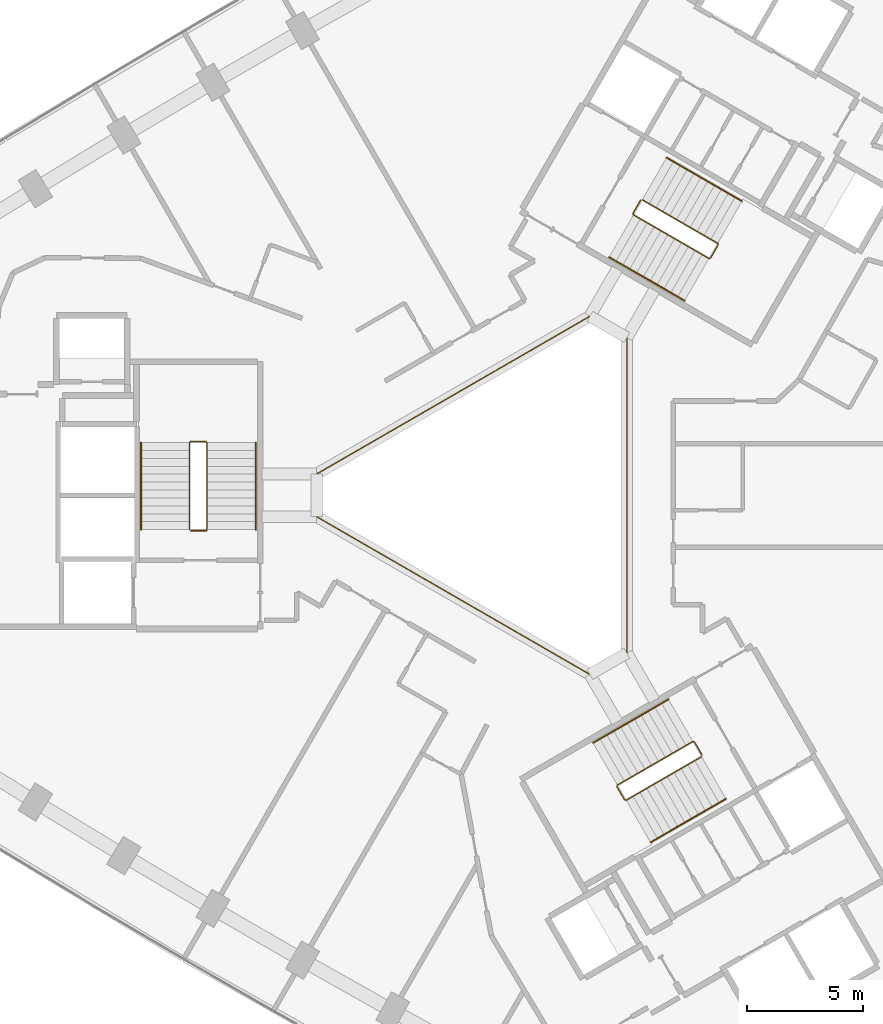
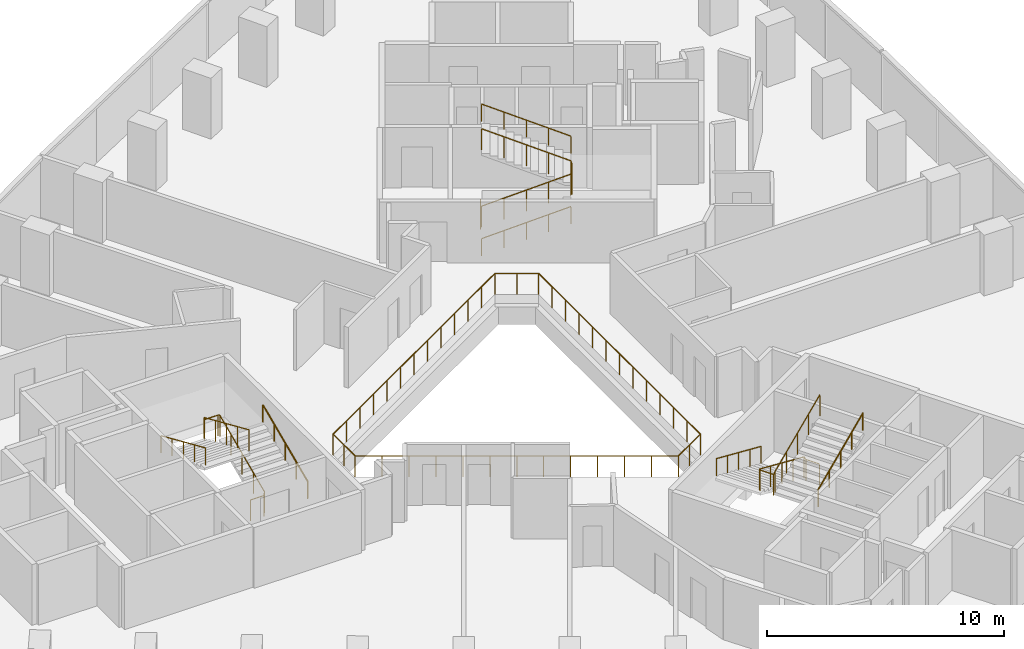
# One storey, part 13 of 13: 10 railings.
"""IFC4 building model written with IfcOpenShell, lengths in metres."""

from ifc_helpers import new_model, si_unit, direction, frame, origin, origin_2d, place, context, subcontext, project, spatial, circle, extrude, material, type_object, element, save


model = new_model("IFC4")

# Units and contexts
model_context = context("Model", 3, precision=1e-05, world=origin(), true_north=direction((0.0, 1.0)))
body_context = subcontext(model_context, "Body", "Model", "MODEL_VIEW")
ifc_project = project(units=[si_unit("LENGTHUNIT", "METRE"), si_unit("AREAUNIT", "SQUARE_METRE"), si_unit("VOLUMEUNIT", "CUBIC_METRE"), si_unit("PLANEANGLEUNIT", "RADIAN"), si_unit("MASSUNIT", "GRAM", prefix="KILO")], contexts=[model_context])

# Site, building, storey
site_placement = place(None, origin())
site = spatial("IfcSite", under=ifc_project, at=site_placement, CompositionType="ELEMENT")
building_placement = place(site_placement, origin())
building = spatial("IfcBuilding", under=site, at=building_placement, Name="Tamra Quay Hotel Tower", CompositionType="ELEMENT")
storey_placement = place(building_placement, frame((0.0, 0.0, 49.39990234375)))
storey = spatial("IfcBuildingStorey", under=building, at=storey_placement, Name="L10", CompositionType="ELEMENT", Elevation=49.39990234375)

# Railings
ifc_material_1 = material(Name="Guard atrium edge 1100")
railing_type_1 = type_object("IfcRailingType", Name="Guard atrium edge 1100", PredefinedType="GUARDRAIL", material=ifc_material_1)
railing_1_placement = place(storey_placement, frame((5.0, -6.81298828125, 0.0)))
element("IfcRailing", 1, at=railing_1_placement, inside=storey, type_object=railing_type_1, Name="G-A", PredefinedType="GUARDRAIL", context=body_context, shape_type="SweptSolid", body=[
    extrude(circle(Radius=0.02392578125, at=origin_2d()), frame((0.0, 0.0, 1.076171875), z_axis=(-0.866194386982, -0.499707198227, 0.0), x_axis=(0.499707198227, -0.866194386982, 0.0)), (0.0, 0.0, 1.0), 1.84716796875),
    extrude(circle(Radius=0.02392578125, at=origin_2d()), frame((-1.60009765625, -0.923095703125, 1.076171875), z_axis=(-0.866044747976, 0.49996649338, 0.0), x_axis=(-0.49996649338, -0.866044747976, 0.0)), (0.0, 0.0, 1.0), 13.625),
    extrude(circle(Radius=0.02392578125, at=origin_2d()), frame((-13.39990234375, 5.888916015625, 1.076171875), z_axis=(0.0, 1.0, 0.0), x_axis=(-1.0, 0.0, 0.0)), (0.0, 0.0, 1.0), 1.84814453125),
    extrude(circle(Radius=0.02392578125, at=origin_2d()), frame((-13.39990234375, 7.737060546875, 1.076171875), z_axis=(0.866044747976, 0.49996649338, 0.0), x_axis=(-0.49996649338, 0.866044747976, 0.0)), (0.0, 0.0, 1.0), 13.625),
    extrude(circle(Radius=0.02392578125, at=origin_2d()), frame((-1.60009765625, 14.549072265625, 1.076171875), z_axis=(0.866194386982, -0.499707198227, 0.0), x_axis=(0.499707198227, 0.866194386982, 0.0)), (0.0, 0.0, 1.0), 1.84716796875),
    extrude(circle(Radius=0.02392578125, at=origin_2d()), frame((0.0, 13.6259765625, 1.076171875), z_axis=(0.0, -1.0, 0.0), x_axis=(1.0, 0.0, 0.0)), (0.0, 0.0, 1.0), 13.6259765625),
    extrude(circle(Radius=0.02099609375, at=origin_2d()), origin(), (0.0, 0.0, 1.0), 1.052001953125),
    extrude(circle(Radius=0.02099609375, at=origin_2d()), frame((-0.800048828125, -0.46142578125, 0.0)), (0.0, 0.0, 1.0), 1.052001953125),
    extrude(circle(Radius=0.02099609375, at=origin_2d()), frame((-1.60009765625, -0.923095703125, 0.0)), (0.0, 0.0, 1.0), 1.052001953125),
    extrude(circle(Radius=0.02099609375, at=origin_2d()), frame((-2.58349609375, -0.35546875, 0.0)), (0.0, 0.0, 1.0), 1.052001953125),
    extrude(circle(Radius=0.02099609375, at=origin_2d()), frame((-3.566650390625, 0.212158203125, 0.0)), (0.0, 0.0, 1.0), 1.052001953125),
    extrude(circle(Radius=0.02099609375, at=origin_2d()), frame((-4.550048828125, 0.77978515625, 0.0)), (0.0, 0.0, 1.0), 1.052001953125),
    extrude(circle(Radius=0.02099609375, at=origin_2d()), frame((-5.533447265625, 1.34765625, 0.0)), (0.0, 0.0, 1.0), 1.052001953125),
    extrude(circle(Radius=0.02099609375, at=origin_2d()), frame((-6.5166015625, 1.915283203125, 0.0)), (0.0, 0.0, 1.0), 1.052001953125),
    extrude(circle(Radius=0.02099609375, at=origin_2d()), frame((-7.5, 2.48291015625, 0.0)), (0.0, 0.0, 1.0), 1.052001953125),
    extrude(circle(Radius=0.02099609375, at=origin_2d()), frame((-8.4833984375, 3.050537109375, 0.0)), (0.0, 0.0, 1.0), 1.052001953125),
    extrude(circle(Radius=0.02099609375, at=origin_2d()), frame((-9.466552734375, 3.6181640625, 0.0)), (0.0, 0.0, 1.0), 1.052001953125),
    extrude(circle(Radius=0.02099609375, at=origin_2d()), frame((-10.449951171875, 4.18603515625, 0.0)), (0.0, 0.0, 1.0), 1.052001953125),
    extrude(circle(Radius=0.02099609375, at=origin_2d()), frame((-11.433349609375, 4.753662109375, 0.0)), (0.0, 0.0, 1.0), 1.052001953125),
    extrude(circle(Radius=0.02099609375, at=origin_2d()), frame((-12.41650390625, 5.3212890625, 0.0)), (0.0, 0.0, 1.0), 1.052001953125),
    extrude(circle(Radius=0.02099609375, at=origin_2d()), frame((-13.39990234375, 5.888916015625, 0.0)), (0.0, 0.0, 1.0), 1.052001953125),
    extrude(circle(Radius=0.02099609375, at=origin_2d()), frame((-13.39990234375, 6.81298828125, 0.0)), (0.0, 0.0, 1.0), 1.052001953125),
    extrude(circle(Radius=0.02099609375, at=origin_2d()), frame((-13.39990234375, 7.737060546875, 0.0)), (0.0, 0.0, 1.0), 1.052001953125),
    extrude(circle(Radius=0.02099609375, at=origin_2d()), frame((-12.41650390625, 8.3046875, 0.0)), (0.0, 0.0, 1.0), 1.052001953125),
    extrude(circle(Radius=0.02099609375, at=origin_2d()), frame((-11.433349609375, 8.872314453125, 0.0)), (0.0, 0.0, 1.0), 1.052001953125),
    extrude(circle(Radius=0.02099609375, at=origin_2d()), frame((-10.449951171875, 9.43994140625, 0.0)), (0.0, 0.0, 1.0), 1.052001953125),
    extrude(circle(Radius=0.02099609375, at=origin_2d()), frame((-9.466552734375, 10.0078125, 0.0)), (0.0, 0.0, 1.0), 1.052001953125),
    extrude(circle(Radius=0.02099609375, at=origin_2d()), frame((-8.4833984375, 10.575439453125, 0.0)), (0.0, 0.0, 1.0), 1.052001953125),
    extrude(circle(Radius=0.02099609375, at=origin_2d()), frame((-7.5, 11.14306640625, 0.0)), (0.0, 0.0, 1.0), 1.052001953125),
    extrude(circle(Radius=0.02099609375, at=origin_2d()), frame((-6.5166015625, 11.710693359375, 0.0)), (0.0, 0.0, 1.0), 1.052001953125),
    extrude(circle(Radius=0.02099609375, at=origin_2d()), frame((-5.533447265625, 12.2783203125, 0.0)), (0.0, 0.0, 1.0), 1.052001953125),
    extrude(circle(Radius=0.02099609375, at=origin_2d()), frame((-4.550048828125, 12.84619140625, 0.0)), (0.0, 0.0, 1.0), 1.052001953125),
    extrude(circle(Radius=0.02099609375, at=origin_2d()), frame((-3.566650390625, 13.413818359375, 0.0)), (0.0, 0.0, 1.0), 1.052001953125),
    extrude(circle(Radius=0.02099609375, at=origin_2d()), frame((-2.58349609375, 13.9814453125, 0.0)), (0.0, 0.0, 1.0), 1.052001953125),
    extrude(circle(Radius=0.02099609375, at=origin_2d()), frame((-1.60009765625, 14.549072265625, 0.0)), (0.0, 0.0, 1.0), 1.052001953125),
    extrude(circle(Radius=0.02099609375, at=origin_2d()), frame((-0.800048828125, 14.08740234375, 0.0)), (0.0, 0.0, 1.0), 1.052001953125),
    extrude(circle(Radius=0.02099609375, at=origin_2d()), frame((0.0, 13.6259765625, 0.0)), (0.0, 0.0, 1.0), 1.052001953125),
    extrude(circle(Radius=0.02099609375, at=origin_2d()), frame((0.0, 12.490478515625, 0.0)), (0.0, 0.0, 1.0), 1.052001953125),
    extrude(circle(Radius=0.02099609375, at=origin_2d()), frame((0.0, 11.35498046875, 0.0)), (0.0, 0.0, 1.0), 1.052001953125),
    extrude(circle(Radius=0.02099609375, at=origin_2d()), frame((0.0, 10.219482421875, 0.0)), (0.0, 0.0, 1.0), 1.052001953125),
    extrude(circle(Radius=0.02099609375, at=origin_2d()), frame((0.0, 9.083984375, 0.0)), (0.0, 0.0, 1.0), 1.052001953125),
    extrude(circle(Radius=0.02099609375, at=origin_2d()), frame((0.0, 7.948486328125, 0.0)), (0.0, 0.0, 1.0), 1.052001953125),
    extrude(circle(Radius=0.02099609375, at=origin_2d()), frame((0.0, 6.81298828125, 0.0)), (0.0, 0.0, 1.0), 1.052001953125),
    extrude(circle(Radius=0.02099609375, at=origin_2d()), frame((0.0, 5.677490234375, 0.0)), (0.0, 0.0, 1.0), 1.052001953125),
    extrude(circle(Radius=0.02099609375, at=origin_2d()), frame((0.0, 4.5419921875, 0.0)), (0.0, 0.0, 1.0), 1.052001953125),
    extrude(circle(Radius=0.02099609375, at=origin_2d()), frame((0.0, 3.406494140625, 0.0)), (0.0, 0.0, 1.0), 1.052001953125),
    extrude(circle(Radius=0.02099609375, at=origin_2d()), frame((0.0, 2.27099609375, 0.0)), (0.0, 0.0, 1.0), 1.052001953125),
    extrude(circle(Radius=0.02099609375, at=origin_2d()), frame((0.0, 1.135498046875, 0.0)), (0.0, 0.0, 1.0), 1.052001953125),
])
ifc_material_2 = material(Name="Stair guard 1100")
railing_type_2 = type_object("IfcRailingType", Name="Stair guard 1100", PredefinedType="GUARDRAIL", material=ifc_material_2)
railing_2_placement = place(storey_placement, frame((-13.84130859375, -1.530029296875, 0.0)))
element("IfcRailing", 2, at=railing_2_placement, inside=storey, type_object=railing_type_2, Name="GR", PredefinedType="GUARDRAIL", context=body_context, shape_type="SweptSolid", body=[
    extrude(circle(Radius=0.02392578125, at=origin_2d()), frame((0.0, 0.0, 1.076171875), z_axis=(1.0, 0.0, 0.0), x_axis=(0.0, 1.0, 0.0)), (0.0, 0.0, 1.0), 0.658935546875),
    extrude(circle(Radius=0.02392578125, at=origin_2d()), frame((0.658935546875, 0.0, 1.076171875), z_axis=(0.301511344578, 0.301511344578, 0.904534033733), x_axis=(-0.707106781187, 0.707106781187, 0.0)), (0.0, 0.0, 1.0), 0.166015625),
    extrude(circle(Radius=0.02392578125, at=origin_2d()), frame((0.708984375, 0.050048828125, 1.22607421875), z_axis=(0.0, 0.915795495799, 0.401644880304), x_axis=(-1.0, 0.0, 0.0)), (0.0, 0.0, 1.0), 4.10791015625),
    extrude(circle(Radius=0.02392578125, at=origin_2d()), frame((0.708984375, 3.81201171875, 2.8759765625), z_axis=(-0.708833529934, 0.705375805398, 0.0), x_axis=(-0.705375805398, -0.708833529934, 0.0)), (0.0, 0.0, 1.0), 0.070556640625),
    extrude(circle(Radius=0.02392578125, at=origin_2d()), frame((0.658935546875, 3.86181640625, 2.8759765625), z_axis=(-1.0, 0.0, 0.0), x_axis=(0.0, -1.0, 0.0)), (0.0, 0.0, 1.0), 0.658935546875),
    extrude(circle(Radius=0.02392578125, at=origin_2d()), frame((0.0, 3.86181640625, 2.8759765625), z_axis=(-0.301644814947, -0.300173376825, 0.904934444842), x_axis=(0.705375805398, -0.708833529934, 0.0)), (0.0, 0.0, 1.0), 0.166015625),
    extrude(circle(Radius=0.02392578125, at=origin_2d()), frame((-0.050048828125, 3.81201171875, 3.0263671875), z_axis=(0.0, -0.915795495799, 0.401644880304), x_axis=(1.0, 0.0, 0.0)), (0.0, 0.0, 1.0), 4.10791015625),
    extrude(circle(Radius=0.02099609375, at=origin_2d()), origin(), (0.0, 0.0, 1.0), 1.052001953125),
    extrude(circle(Radius=0.02099609375, at=origin_2d()), frame((0.658935546875, 0.0, 0.0)), (0.0, 0.0, 1.0), 1.052001953125),
    extrude(circle(Radius=0.02099609375, at=origin_2d()), frame((0.708984375, 0.050048828125, 0.150146484375)), (0.0, 0.0, 1.0), 1.052001953125),
    extrude(circle(Radius=0.02099609375, at=origin_2d()), frame((0.708984375, 0.990478515625, 0.5625)), (0.0, 0.0, 1.0), 1.052001953125),
    extrude(circle(Radius=0.02099609375, at=origin_2d()), frame((0.708984375, 1.93115234375, 0.97509765625)), (0.0, 0.0, 1.0), 1.052001953125),
    extrude(circle(Radius=0.02099609375, at=origin_2d()), frame((0.708984375, 2.87158203125, 1.3876953125)), (0.0, 0.0, 1.0), 1.052001953125),
    extrude(circle(Radius=0.02099609375, at=origin_2d()), frame((0.708984375, 3.81201171875, 1.800048828125)), (0.0, 0.0, 1.0), 1.052001953125),
    extrude(circle(Radius=0.02099609375, at=origin_2d()), frame((0.658935546875, 3.86181640625, 1.800048828125)), (0.0, 0.0, 1.0), 1.052001953125),
    extrude(circle(Radius=0.02099609375, at=origin_2d()), frame((0.0, 3.86181640625, 1.800048828125)), (0.0, 0.0, 1.0), 1.052001953125),
    extrude(circle(Radius=0.02099609375, at=origin_2d()), frame((-0.050048828125, 3.81201171875, 1.9501953125)), (0.0, 0.0, 1.0), 1.052001953125),
    extrude(circle(Radius=0.02099609375, at=origin_2d()), frame((-0.050048828125, 2.87158203125, 2.36279296875)), (0.0, 0.0, 1.0), 1.052001953125),
    extrude(circle(Radius=0.02099609375, at=origin_2d()), frame((-0.050048828125, 1.93115234375, 2.775146484375)), (0.0, 0.0, 1.0), 1.052001953125),
    extrude(circle(Radius=0.02099609375, at=origin_2d()), frame((-0.050048828125, 0.990478515625, 3.1875)), (0.0, 0.0, 1.0), 1.052001953125),
    extrude(circle(Radius=0.02099609375, at=origin_2d()), frame((-0.050048828125, 0.050048828125, 3.60009765625)), (0.0, 0.0, 1.0), 1.052001953125),
])
railing_3_placement = place(storey_placement, frame((5.595458984375, 12.751953125, 0.0)))
element("IfcRailing", 3, at=railing_3_placement, inside=storey, type_object=railing_type_2, Name="GR", PredefinedType="GUARDRAIL", context=body_context, shape_type="SweptSolid", body=[
    extrude(circle(Radius=0.02392578125, at=origin_2d()), frame((0.0, 0.0, 1.076171875), z_axis=(-0.499765215335, -0.866160914346, 0.0), x_axis=(0.866160914346, -0.499765215335, 0.0)), (0.0, 0.0, 1.0), 0.658935546875),
    extrude(circle(Radius=0.02392578125, at=origin_2d()), frame((-0.329345703125, -0.57080078125, 1.076171875), z_axis=(0.110378772244, -0.410609032747, 0.905105932399), x_axis=(0.965715946433, 0.259601060869, 0.0)), (0.0, 0.0, 1.0), 0.165771484375),
    extrude(circle(Radius=0.02392578125, at=origin_2d()), frame((-0.31103515625, -0.638916015625, 1.22607421875), z_axis=(0.793078462799, -0.457933869594, 0.401650498471), x_axis=(0.500040788363, 0.866001853331, 0.0)), (0.0, 0.0, 1.0), 4.10791015625),
    extrude(circle(Radius=0.02392578125, at=origin_2d()), frame((2.94677734375, -2.52001953125, 2.8759765625), z_axis=(0.965948051503, 0.258736085224, 0.0), x_axis=(-0.258736085224, 0.965948051503, 0.0)), (0.0, 0.0, 1.0), 0.07080078125),
    extrude(circle(Radius=0.02392578125, at=origin_2d()), frame((3.01513671875, -2.501708984375, 2.8759765625), z_axis=(0.500043078269, 0.866000531106, 0.0), x_axis=(-0.866000531106, 0.500043078269, 0.0)), (0.0, 0.0, 1.0), 0.6591796875),
    extrude(circle(Radius=0.02392578125, at=origin_2d()), frame((3.3447265625, -1.930908203125, 2.8759765625), z_axis=(-0.110378772244, 0.410609032747, 0.905105932399), x_axis=(-0.965715946433, -0.259601060869, 0.0)), (0.0, 0.0, 1.0), 0.165771484375),
    extrude(circle(Radius=0.02392578125, at=origin_2d()), frame((3.326416015625, -1.86279296875, 3.0263671875), z_axis=(-0.793100512587, 0.457912285461, 0.401631567183), x_axis=(-0.500012686397, -0.866018079166, 0.0)), (0.0, 0.0, 1.0), 4.10791015625),
    extrude(circle(Radius=0.02099609375, at=origin_2d()), origin(), (0.0, 0.0, 1.0), 1.052001953125),
    extrude(circle(Radius=0.02099609375, at=origin_2d()), frame((-0.329345703125, -0.57080078125, 0.0)), (0.0, 0.0, 1.0), 1.052001953125),
    extrude(circle(Radius=0.02099609375, at=origin_2d()), frame((-0.31103515625, -0.638916015625, 0.150146484375)), (0.0, 0.0, 1.0), 1.052001953125),
    extrude(circle(Radius=0.02099609375, at=origin_2d()), frame((0.50341796875, -1.109130859375, 0.5625)), (0.0, 0.0, 1.0), 1.052001953125),
    extrude(circle(Radius=0.02099609375, at=origin_2d()), frame((1.31787109375, -1.57958984375, 0.97509765625)), (0.0, 0.0, 1.0), 1.052001953125),
    extrude(circle(Radius=0.02099609375, at=origin_2d()), frame((2.13232421875, -2.0498046875, 1.3876953125)), (0.0, 0.0, 1.0), 1.052001953125),
    extrude(circle(Radius=0.02099609375, at=origin_2d()), frame((2.94677734375, -2.52001953125, 1.800048828125)), (0.0, 0.0, 1.0), 1.052001953125),
    extrude(circle(Radius=0.02099609375, at=origin_2d()), frame((3.01513671875, -2.501708984375, 1.800048828125)), (0.0, 0.0, 1.0), 1.052001953125),
    extrude(circle(Radius=0.02099609375, at=origin_2d()), frame((3.3447265625, -1.930908203125, 1.800048828125)), (0.0, 0.0, 1.0), 1.052001953125),
    extrude(circle(Radius=0.02099609375, at=origin_2d()), frame((3.326416015625, -1.86279296875, 1.9501953125)), (0.0, 0.0, 1.0), 1.052001953125),
    extrude(circle(Radius=0.02099609375, at=origin_2d()), frame((2.511962890625, -1.392578125, 2.36279296875)), (0.0, 0.0, 1.0), 1.052001953125),
    extrude(circle(Radius=0.02099609375, at=origin_2d()), frame((1.697265625, -0.92236328125, 2.775146484375)), (0.0, 0.0, 1.0), 1.052001953125),
    extrude(circle(Radius=0.02099609375, at=origin_2d()), frame((0.8828125, -0.451904296875, 3.1875)), (0.0, 0.0, 1.0), 1.052001953125),
    extrude(circle(Radius=0.02099609375, at=origin_2d()), frame((0.068359375, 0.018310546875, 3.60009765625)), (0.0, 0.0, 1.0), 1.052001953125),
])
railing_4_placement = place(storey_placement, frame((8.245849609375, -11.221923828125, 0.0)))
element("IfcRailing", 4, at=railing_4_placement, inside=storey, type_object=railing_type_2, Name="GR", PredefinedType="GUARDRAIL", context=body_context, shape_type="SweptSolid", body=[
    extrude(circle(Radius=0.02392578125, at=origin_2d()), frame((0.0, 0.0, 1.076171875), z_axis=(-0.500043078269, 0.866000531106, 0.0), x_axis=(-0.866000531106, -0.500043078269, 0.0)), (0.0, 0.0, 1.0), 0.6591796875),
    extrude(circle(Radius=0.02392578125, at=origin_2d()), frame((-0.32958984375, 0.57080078125, 1.076171875), z_axis=(-0.411831509231, 0.110312011401, 0.90455849349), x_axis=(-0.258736085224, -0.965948051503, 0.0)), (0.0, 0.0, 1.0), 0.166015625),
    extrude(circle(Radius=0.02392578125, at=origin_2d()), frame((-0.39794921875, 0.589111328125, 1.22607421875), z_axis=(-0.793100512587, -0.457912285461, 0.401631567183), x_axis=(0.500012686397, -0.866018079166, 0.0)), (0.0, 0.0, 1.0), 4.10791015625),
    extrude(circle(Radius=0.02392578125, at=origin_2d()), frame((-3.656005859375, -1.2919921875, 2.8759765625), z_axis=(-0.256368644879, -0.966579080015, 0.0), x_axis=(0.966579080015, -0.256368644879, 0.0)), (0.0, 0.0, 1.0), 0.070556640625),
    extrude(circle(Radius=0.02392578125, at=origin_2d()), frame((-3.674072265625, -1.360107421875, 2.8759765625), z_axis=(0.499765215335, -0.866160914346, 0.0), x_axis=(0.866160914346, 0.499765215335, 0.0)), (0.0, 0.0, 1.0), 0.658935546875),
    extrude(circle(Radius=0.02392578125, at=origin_2d()), frame((-3.3447265625, -1.930908203125, 2.8759765625), z_axis=(0.411831509231, -0.110312011401, 0.90455849349), x_axis=(0.258736085224, 0.965948051503, 0.0)), (0.0, 0.0, 1.0), 0.166015625),
    extrude(circle(Radius=0.02392578125, at=origin_2d()), frame((-3.2763671875, -1.94921875, 3.0263671875), z_axis=(0.793100512587, 0.457912285461, 0.401631567183), x_axis=(-0.500012686397, 0.866018079166, 0.0)), (0.0, 0.0, 1.0), 4.10791015625),
    extrude(circle(Radius=0.02099609375, at=origin_2d()), origin(), (0.0, 0.0, 1.0), 1.052001953125),
    extrude(circle(Radius=0.02099609375, at=origin_2d()), frame((-0.32958984375, 0.57080078125, 0.0)), (0.0, 0.0, 1.0), 1.052001953125),
    extrude(circle(Radius=0.02099609375, at=origin_2d()), frame((-0.39794921875, 0.589111328125, 0.150146484375)), (0.0, 0.0, 1.0), 1.052001953125),
    extrude(circle(Radius=0.02099609375, at=origin_2d()), frame((-1.21240234375, 0.118896484375, 0.5625)), (0.0, 0.0, 1.0), 1.052001953125),
    extrude(circle(Radius=0.02099609375, at=origin_2d()), frame((-2.02685546875, -0.3515625, 0.97509765625)), (0.0, 0.0, 1.0), 1.052001953125),
    extrude(circle(Radius=0.02099609375, at=origin_2d()), frame((-2.841552734375, -0.82177734375, 1.3876953125)), (0.0, 0.0, 1.0), 1.052001953125),
    extrude(circle(Radius=0.02099609375, at=origin_2d()), frame((-3.656005859375, -1.2919921875, 1.800048828125)), (0.0, 0.0, 1.0), 1.052001953125),
    extrude(circle(Radius=0.02099609375, at=origin_2d()), frame((-3.674072265625, -1.360107421875, 1.800048828125)), (0.0, 0.0, 1.0), 1.052001953125),
    extrude(circle(Radius=0.02099609375, at=origin_2d()), frame((-3.3447265625, -1.930908203125, 1.800048828125)), (0.0, 0.0, 1.0), 1.052001953125),
    extrude(circle(Radius=0.02099609375, at=origin_2d()), frame((-3.2763671875, -1.94921875, 1.9501953125)), (0.0, 0.0, 1.0), 1.052001953125),
    extrude(circle(Radius=0.02099609375, at=origin_2d()), frame((-2.4619140625, -1.47900390625, 2.36279296875)), (0.0, 0.0, 1.0), 1.052001953125),
    extrude(circle(Radius=0.02099609375, at=origin_2d()), frame((-1.6474609375, -1.0087890625, 2.775146484375)), (0.0, 0.0, 1.0), 1.052001953125),
    extrude(circle(Radius=0.02099609375, at=origin_2d()), frame((-0.832763671875, -0.538330078125, 3.1875)), (0.0, 0.0, 1.0), 1.052001953125),
    extrude(circle(Radius=0.02099609375, at=origin_2d()), frame((-0.018310546875, -0.068115234375, 3.60009765625)), (0.0, 0.0, 1.0), 1.052001953125),
])
ifc_material_3 = material(Name="Stair handrail 900")
railing_type_3 = type_object("IfcRailingType", Name="Stair handrail 900", PredefinedType="HANDRAIL", material=ifc_material_3)
railing_5_placement = place(storey_placement, frame((-11.0322265625, -1.47998046875, 0.150146484375)))
element("IfcRailing", 5, at=railing_5_placement, inside=storey, type_object=railing_type_3, Name="HR", PredefinedType="HANDRAIL", context=body_context, shape_type="SweptSolid", body=[
    extrude(circle(Radius=0.02392578125, at=origin_2d()), frame((0.0, 0.0, 0.8759765625), z_axis=(0.0, 0.915795495799, 0.401644880304), x_axis=(-1.0, 0.0, 0.0)), (0.0, 0.0, 1.0), 4.10791015625),
    extrude(circle(Radius=0.02099609375, at=origin_2d()), origin(), (0.0, 0.0, 1.0), 0.851806640625),
    extrude(circle(Radius=0.02099609375, at=origin_2d()), frame((0.0, 0.9404296875, 0.41259765625)), (0.0, 0.0, 1.0), 0.851806640625),
    extrude(circle(Radius=0.02099609375, at=origin_2d()), frame((0.0, 1.880859375, 0.824951171875)), (0.0, 0.0, 1.0), 0.851806640625),
    extrude(circle(Radius=0.02099609375, at=origin_2d()), frame((0.0, 2.821533203125, 1.2373046875)), (0.0, 0.0, 1.0), 0.851806640625),
    extrude(circle(Radius=0.02099609375, at=origin_2d()), frame((0.0, 3.761962890625, 1.64990234375)), (0.0, 0.0, 1.0), 0.851806640625),
])
railing_6_placement = place(storey_placement, frame((-15.9912109375, 2.281982421875, 1.9501953125)))
element("IfcRailing", 6, at=railing_6_placement, inside=storey, type_object=railing_type_3, Name="HR", PredefinedType="HANDRAIL", context=body_context, shape_type="SweptSolid", body=[
    extrude(circle(Radius=0.02392578125, at=origin_2d()), frame((0.0, 0.0, 0.8759765625), z_axis=(0.0, -0.915795495799, 0.401644880304), x_axis=(1.0, 0.0, 0.0)), (0.0, 0.0, 1.0), 4.10791015625),
    extrude(circle(Radius=0.02099609375, at=origin_2d()), origin(), (0.0, 0.0, 1.0), 0.851806640625),
    extrude(circle(Radius=0.02099609375, at=origin_2d()), frame((0.0, -0.9404296875, 0.41259765625)), (0.0, 0.0, 1.0), 0.851806640625),
    extrude(circle(Radius=0.02099609375, at=origin_2d()), frame((0.0, -1.880859375, 0.824951171875)), (0.0, 0.0, 1.0), 0.851806640625),
    extrude(circle(Radius=0.02099609375, at=origin_2d()), frame((0.0, -2.821533203125, 1.2373046875)), (0.0, 0.0, 1.0), 0.851806640625),
    extrude(circle(Radius=0.02099609375, at=origin_2d()), frame((0.0, -3.761962890625, 1.64990234375)), (0.0, 0.0, 1.0), 0.851806640625),
])
railing_7_placement = place(storey_placement, frame((4.234375, 10.294189453125, 0.150146484375)))
element("IfcRailing", 7, at=railing_7_placement, inside=storey, type_object=railing_type_3, Name="HR", PredefinedType="HANDRAIL", context=body_context, shape_type="SweptSolid", body=[
    extrude(circle(Radius=0.02392578125, at=origin_2d()), frame((0.0, 0.0, 0.8759765625), z_axis=(0.793122095483, -0.45786531462, 0.401642496911), x_axis=(0.499964013922, 0.86604617936, 0.0)), (0.0, 0.0, 1.0), 4.10791015625),
    extrude(circle(Radius=0.02099609375, at=origin_2d()), origin(), (0.0, 0.0, 1.0), 0.851806640625),
    extrude(circle(Radius=0.02099609375, at=origin_2d()), frame((0.814453125, -0.47021484375, 0.41259765625)), (0.0, 0.0, 1.0), 0.851806640625),
    extrude(circle(Radius=0.02099609375, at=origin_2d()), frame((1.62890625, -0.9404296875, 0.824951171875)), (0.0, 0.0, 1.0), 0.851806640625),
    extrude(circle(Radius=0.02099609375, at=origin_2d()), frame((2.443603515625, -1.41064453125, 1.2373046875)), (0.0, 0.0, 1.0), 0.851806640625),
    extrude(circle(Radius=0.02099609375, at=origin_2d()), frame((3.258056640625, -1.880859375, 1.64990234375)), (0.0, 0.0, 1.0), 0.851806640625),
])
railing_8_placement = place(storey_placement, frame((9.971923828125, 12.7080078125, 1.9501953125)))
element("IfcRailing", 8, at=railing_8_placement, inside=storey, type_object=railing_type_3, Name="HR", PredefinedType="HANDRAIL", context=body_context, shape_type="SweptSolid", body=[
    extrude(circle(Radius=0.02392578125, at=origin_2d()), frame((0.0, 0.0, 0.8759765625), z_axis=(-0.793122095483, 0.45786531462, 0.401642496911), x_axis=(-0.499964013922, -0.86604617936, 0.0)), (0.0, 0.0, 1.0), 4.10791015625),
    extrude(circle(Radius=0.02099609375, at=origin_2d()), origin(), (0.0, 0.0, 1.0), 0.851806640625),
    extrude(circle(Radius=0.02099609375, at=origin_2d()), frame((-0.814453125, 0.47021484375, 0.41259765625)), (0.0, 0.0, 1.0), 0.851806640625),
    extrude(circle(Radius=0.02099609375, at=origin_2d()), frame((-1.62890625, 0.9404296875, 0.824951171875)), (0.0, 0.0, 1.0), 0.851806640625),
    extrude(circle(Radius=0.02099609375, at=origin_2d()), frame((-2.443603515625, 1.41064453125, 1.2373046875)), (0.0, 0.0, 1.0), 0.851806640625),
    extrude(circle(Radius=0.02099609375, at=origin_2d()), frame((-3.258056640625, 1.880859375, 1.64990234375)), (0.0, 0.0, 1.0), 0.851806640625),
])
railing_9_placement = place(storey_placement, frame((6.7978515625, -8.814208984375, 0.150146484375)))
element("IfcRailing", 9, at=railing_9_placement, inside=storey, type_object=railing_type_3, Name="HR", PredefinedType="HANDRAIL", context=body_context, shape_type="SweptSolid", body=[
    extrude(circle(Radius=0.02392578125, at=origin_2d()), frame((0.0, 0.0, 0.8759765625), z_axis=(-0.79310004713, -0.457886897714, 0.401661429744), x_axis=(0.499992114976, -0.866029956157, 0.0)), (0.0, 0.0, 1.0), 4.107666015625),
    extrude(circle(Radius=0.02099609375, at=origin_2d()), origin(), (0.0, 0.0, 1.0), 0.851806640625),
    extrude(circle(Radius=0.02099609375, at=origin_2d()), frame((-0.814453125, -0.47021484375, 0.41259765625)), (0.0, 0.0, 1.0), 0.851806640625),
    extrude(circle(Radius=0.02099609375, at=origin_2d()), frame((-1.62890625, -0.9404296875, 0.824951171875)), (0.0, 0.0, 1.0), 0.851806640625),
    extrude(circle(Radius=0.02099609375, at=origin_2d()), frame((-2.443359375, -1.41064453125, 1.2373046875)), (0.0, 0.0, 1.0), 0.851806640625),
    extrude(circle(Radius=0.02099609375, at=origin_2d()), frame((-3.2578125, -1.880859375, 1.64990234375)), (0.0, 0.0, 1.0), 0.851806640625),
])
railing_10_placement = place(storey_placement, frame((6.01953125, -14.98974609375, 1.9501953125)))
element("IfcRailing", 10, at=railing_10_placement, inside=storey, type_object=railing_type_3, Name="HR", PredefinedType="HANDRAIL", context=body_context, shape_type="SweptSolid", body=[
    extrude(circle(Radius=0.02392578125, at=origin_2d()), frame((0.0, 0.0, 0.8759765625), z_axis=(0.79310004713, 0.457886897714, 0.401661429744), x_axis=(-0.499992114976, 0.866029956157, 0.0)), (0.0, 0.0, 1.0), 4.107666015625),
    extrude(circle(Radius=0.02099609375, at=origin_2d()), origin(), (0.0, 0.0, 1.0), 0.851806640625),
    extrude(circle(Radius=0.02099609375, at=origin_2d()), frame((0.814453125, 0.47021484375, 0.41259765625)), (0.0, 0.0, 1.0), 0.851806640625),
    extrude(circle(Radius=0.02099609375, at=origin_2d()), frame((1.62890625, 0.9404296875, 0.824951171875)), (0.0, 0.0, 1.0), 0.851806640625),
    extrude(circle(Radius=0.02099609375, at=origin_2d()), frame((2.443359375, 1.41064453125, 1.2373046875)), (0.0, 0.0, 1.0), 0.851806640625),
    extrude(circle(Radius=0.02099609375, at=origin_2d()), frame((3.2578125, 1.880859375, 1.64990234375)), (0.0, 0.0, 1.0), 0.851806640625),
])

save(model, "model.ifc")
